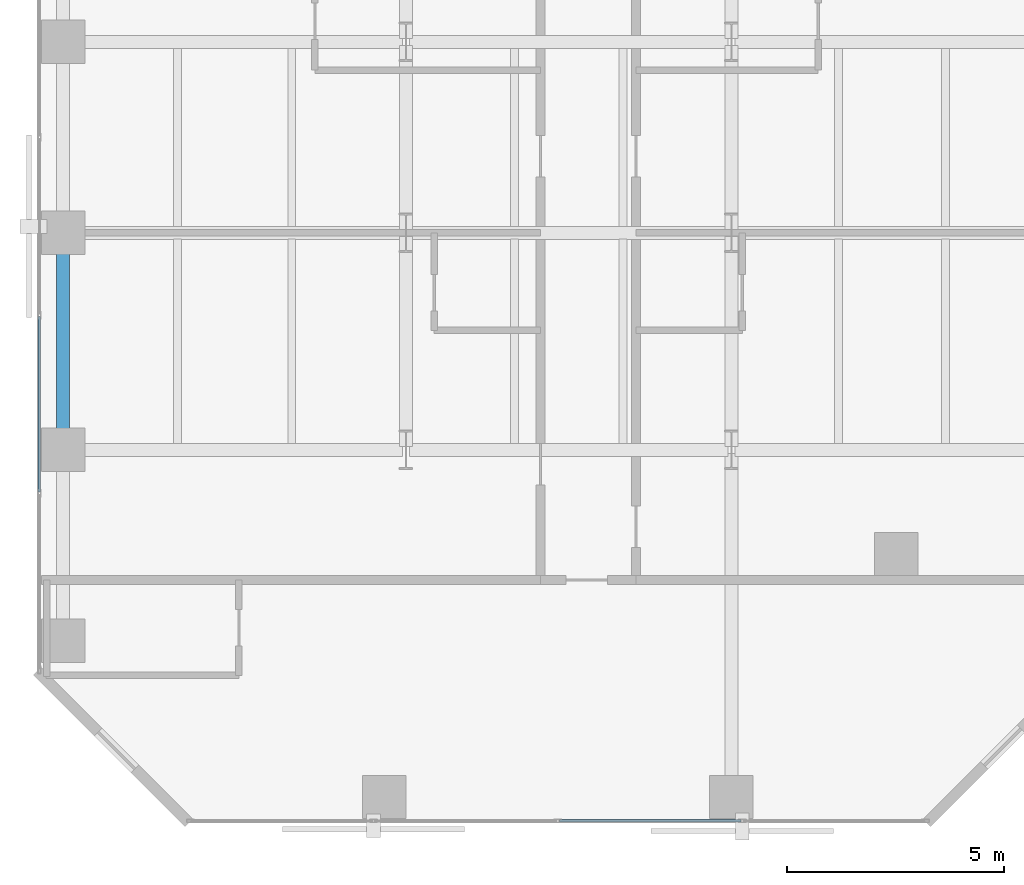
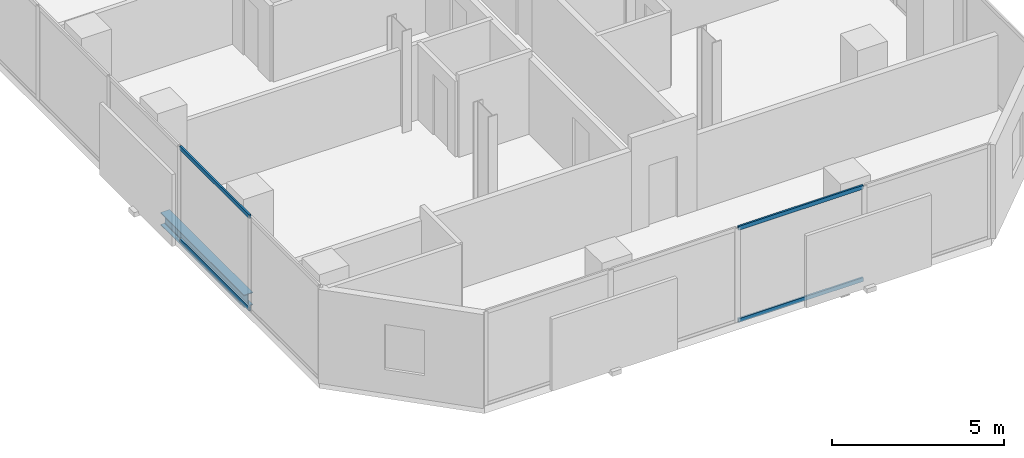
# One storey, part 3 of 32: 4 members, 1 beam, 2 elements without a shape of their own.
"""IFC4 building model written with IfcOpenShell, lengths in metres."""

from ifc_helpers import new_model, si_unit, direction, frame, origin, origin_2d, place, context, subcontext, project, spatial, hollow_rectangle, i_section, extrude, material, layer, layer_set, material_profile, profile_set, type_object, element, aggregate, save


model = new_model("IFC4")

# Units and contexts
model_context = context("Model", 3, precision=1e-05, world=origin(), true_north=direction((0.0, 1.0)))
body_context = subcontext(model_context, "Body", "Model", "MODEL_VIEW")
ifc_project = project(units=[si_unit("LENGTHUNIT", "METRE"), si_unit("AREAUNIT", "SQUARE_METRE"), si_unit("VOLUMEUNIT", "CUBIC_METRE"), si_unit("PLANEANGLEUNIT", "RADIAN"), si_unit("MASSUNIT", "GRAM", prefix="KILO")], contexts=[model_context])

# Site, building, storey
site_placement = place(None, origin())
site = spatial("IfcSite", under=ifc_project, at=site_placement, CompositionType="ELEMENT")
building_placement = place(site_placement, origin())
building = spatial("IfcBuilding", under=site, at=building_placement, Name="Catumbela Crestline Tower", CompositionType="ELEMENT")
storey_placement = place(building_placement, frame((0.0, 0.0, 33.0)))
storey = spatial("IfcBuildingStorey", under=building, at=storey_placement, Name="L07", CompositionType="ELEMENT", Elevation=33.0)

# Beam
ifc_material_1 = material(Name="Structural steel S355J2", Category="steel")
ifc_material_profile_1 = material_profile(ifc_material_1, i_section(OverallWidth=0.3, OverallDepth=0.45, WebThickness=0.014, FlangeThickness=0.026, FilletRadius=0.027, at=origin_2d()), Name="HEB 450")
ifc_profile_set_1 = profile_set([ifc_material_profile_1], Name="Structural steel S355J2")
beam_type = type_object("IfcBeamType", Name="BS-HEB450", PredefinedType="SPANDREL", material=ifc_profile_set_1)
beam_placement = place(storey_placement, frame((0.6, 8.68, -0.485), z_axis=(0.0, 1.0, 0.0), x_axis=(-1.0, 0.0, 0.0)))
element("IfcBeam", 1, at=beam_placement, inside=storey, type_object=beam_type, Name="L07 Spandrel SP-L07-WNS58", PredefinedType="SPANDREL", context=body_context, shape_type="SweptSolid", body=[
    extrude(i_section(OverallWidth=0.3, OverallDepth=0.45, WebThickness=0.014, FlangeThickness=0.026, FilletRadius=0.027, at=origin_2d()), origin(), (0.0, 0.0, 1.0), 4.84),
])

# Curtain wall, members
ifc_material_2 = material(Name="Aluminium alloy AW-6060-T66", Category="aluminium")
ifc_layer = layer(ifc_material_2, 0.18, Name="Aluminium alloy AW-6060-T66")
ifc_layer_set = layer_set([ifc_layer], Name="Aluminium alloy AW-6060-T66")
curtain_wall_type = type_object("IfcCurtainWallType", Name="CWU-Z1", PredefinedType="USERDEFINED", material=ifc_layer_set)
curtain_wall_1_placement = place(storey_placement, origin())
curtain_wall_1 = element("IfcCurtainWall", 2, at=curtain_wall_1_placement, inside=storey, type_object=curtain_wall_type, Name="L07 Unitised Curtain Wall CW-L07-E0S1", ObjectType="UNITISED", PredefinedType="USERDEFINED")
ifc_material_profile_2 = material_profile(ifc_material_2, hollow_rectangle(XDim=0.06, YDim=0.14, WallThickness=0.004, at=origin_2d()), Name="ALU 140x60x4")
ifc_profile_set_2 = profile_set([ifc_material_profile_2], Name="Aluminium alloy AW-6060-T66")
member_type = type_object("IfcMemberType", Name="TRN-140X60", PredefinedType="USERDEFINED", material=ifc_profile_set_2)
member_1_placement = place(storey_placement, frame((12.0325, 0.05, 0.03), z_axis=(1.0, 0.0, 0.0), x_axis=(0.0, 1.0, 0.0)))
member_1 = element("IfcMember", 3, at=member_1_placement, type_object=member_type, Name="CWU-Z1 transom 3.1", ObjectType="TRANSOM", PredefinedType="USERDEFINED", context=body_context, shape_type="SweptSolid", body=[
    extrude(hollow_rectangle(XDim=0.06, YDim=0.14, WallThickness=0.004, at=origin_2d()), origin(), (0.0, 0.0, 1.0), 4.185),
])
member_2_placement = place(storey_placement, frame((12.0325, 0.05, 3.3), z_axis=(1.0, 0.0, 0.0), x_axis=(0.0, 1.0, 0.0)))
member_2 = element("IfcMember", 4, at=member_2_placement, type_object=member_type, Name="CWU-Z1 transom 3.2", ObjectType="TRANSOM", PredefinedType="USERDEFINED", context=body_context, shape_type="SweptSolid", body=[
    extrude(hollow_rectangle(XDim=0.06, YDim=0.14, WallThickness=0.004, at=origin_2d()), origin(), (0.0, 0.0, 1.0), 4.185),
])
aggregate(curtain_wall_1, [member_1, member_2])

curtain_wall_2_placement = place(storey_placement, origin())
curtain_wall_2 = element("IfcCurtainWall", 5, at=curtain_wall_2_placement, inside=storey, type_object=curtain_wall_type, Name="L07 Unitised Curtain Wall CW-L07-E9S1", ObjectType="UNITISED", PredefinedType="USERDEFINED")
member_3_placement = place(storey_placement, frame((0.05, 11.6675, 0.03), z_axis=(0.0, -1.0, 0.0), x_axis=(1.0, 0.0, 0.0)))
member_3 = element("IfcMember", 6, at=member_3_placement, type_object=member_type, Name="CWU-Z1 transom 9.1", ObjectType="TRANSOM", PredefinedType="USERDEFINED", context=body_context, shape_type="SweptSolid", body=[
    extrude(hollow_rectangle(XDim=0.06, YDim=0.14, WallThickness=0.004, at=origin_2d()), origin(), (0.0, 0.0, 1.0), 4.035),
])
member_4_placement = place(storey_placement, frame((0.05, 11.6675, 3.3), z_axis=(0.0, -1.0, 0.0), x_axis=(1.0, 0.0, 0.0)))
member_4 = element("IfcMember", 7, at=member_4_placement, type_object=member_type, Name="CWU-Z1 transom 9.2", ObjectType="TRANSOM", PredefinedType="USERDEFINED", context=body_context, shape_type="SweptSolid", body=[
    extrude(hollow_rectangle(XDim=0.06, YDim=0.14, WallThickness=0.004, at=origin_2d()), origin(), (0.0, 0.0, 1.0), 4.035),
])
aggregate(curtain_wall_2, [member_3, member_4])

save(model, "model.ifc")
